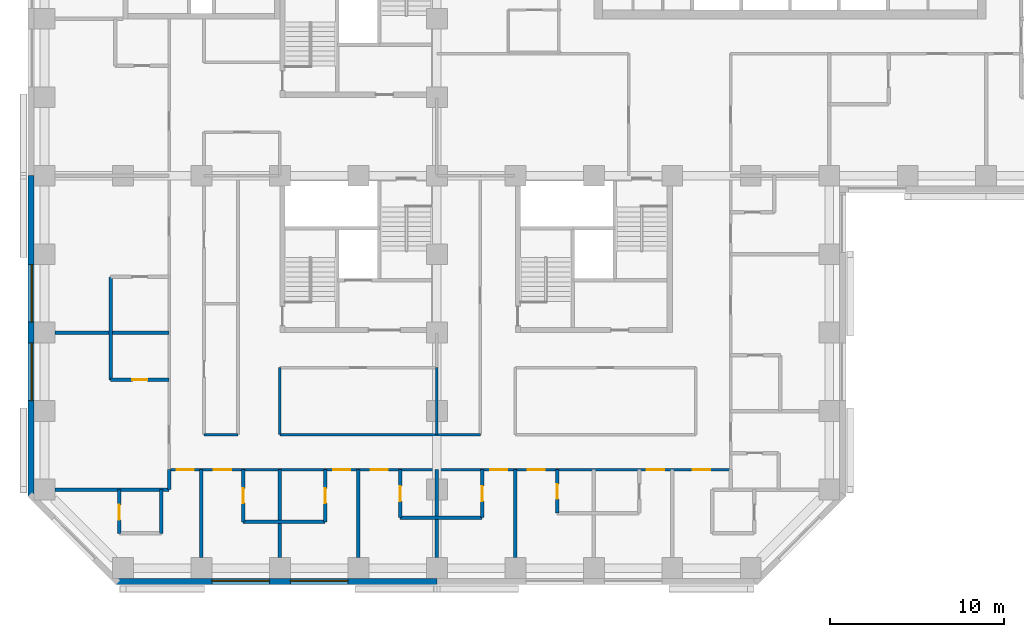
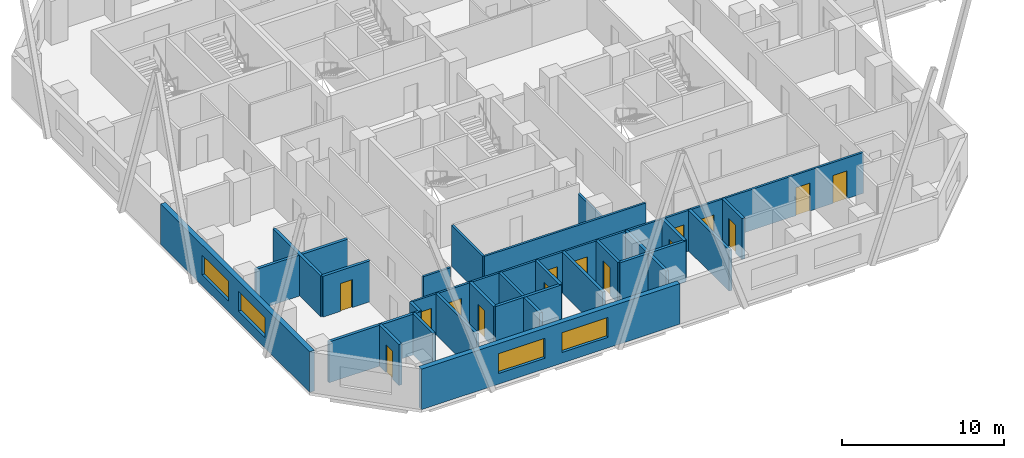
# One storey, part 3 of 13: 26 walls, 15 doors, 4 windows, 19 openings.
"""IFC4 building model written with IfcOpenShell, lengths in metres."""

from ifc_helpers import new_model, si_unit, direction, frame, frame_2d, origin, place, context, subcontext, project, spatial, rectangle, extrude, material, layer, layer_set, constituent, constituent_set, type_object, element, fill, save


model = new_model("IFC4")

# Units and contexts
model_context = context("Model", 3, precision=1e-05, world=origin(), true_north=direction((0.0, 1.0)))
body_context = subcontext(model_context, "Body", "Model", "MODEL_VIEW")
ifc_project = project(units=[si_unit("LENGTHUNIT", "METRE"), si_unit("AREAUNIT", "SQUARE_METRE"), si_unit("VOLUMEUNIT", "CUBIC_METRE"), si_unit("PLANEANGLEUNIT", "RADIAN"), si_unit("MASSUNIT", "GRAM", prefix="KILO")], contexts=[model_context])

# Site, building, storey
site_placement = place(None, origin())
site = spatial("IfcSite", under=ifc_project, at=site_placement, CompositionType="ELEMENT")
building_placement = place(site_placement, origin())
building = spatial("IfcBuilding", under=site, at=building_placement, Name="Quoin Convention Tower", CompositionType="ELEMENT")
storey_placement = place(building_placement, frame((0.0, 0.0, 52.800048828125)))
storey = spatial("IfcBuildingStorey", under=building, at=storey_placement, Name="L13", CompositionType="ELEMENT", Elevation=52.800048828125)

# Wall, openings, windows
ifc_material_1 = material(Name="Brick masonry", Category="masonry")
ifc_layer_1 = layer(ifc_material_1, 0.35009765625)
ifc_layer_set_1 = layer_set([ifc_layer_1], Name="Brick masonry")
wall_type_1 = type_object("IfcWallType", Name="Brick facade wall", PredefinedType="STANDARD", material=ifc_layer_set_1)
wall_1_placement = place(storey_placement, frame((17.6064453125, 17.22509765625, 0.0), z_axis=(0.0, 0.0, 1.0), x_axis=(1.0, 0.0, 0.0)))
wall_1 = element("IfcWall", 1, at=wall_1_placement, inside=storey, type_object=wall_type_1, Name="fw-L13-18000_18000", PredefinedType="STANDARD", context=body_context, shape_type="SweptSolid", body=[
    extrude(rectangle(XDim=18.3935546875, YDim=0.35009765625, at=frame_2d((9.19677734375, 0.0))), origin(), (0.0, 0.0, 1.0), 3.054931640625),
])
opening_1_placement = place(wall_1_placement, frame((5.493408203125, 0.0, 0.800048828125)))
opening_1 = element("IfcOpeningElement", 2, at=opening_1_placement, cuts=wall_1, Name="Opening W-01", PredefinedType="OPENING", context=body_context, shape_type="SweptSolid", body=[
    extrude(rectangle(XDim=3.300048828125, YDim=1.5, at=frame_2d((1.64990234375, 0.75))), frame((0.0, 0.18505859375, 0.0), z_axis=(0.0, -1.0, 0.0), x_axis=(1.0, 0.0, 0.0)), (0.0, 0.0, 1.0), 0.3701171875),
])
opening_2_placement = place(wall_1_placement, frame((9.993408203125, 0.0, 0.800048828125)))
opening_2 = element("IfcOpeningElement", 3, at=opening_2_placement, cuts=wall_1, Name="Opening W-01", PredefinedType="OPENING", context=body_context, shape_type="SweptSolid", body=[
    extrude(rectangle(XDim=3.300048828125, YDim=1.5, at=frame_2d((1.64990234375, 0.75))), frame((0.0, 0.18505859375, 0.0), z_axis=(0.0, -1.0, 0.0), x_axis=(1.0, 0.0, 0.0)), (0.0, 0.0, 1.0), 0.3701171875),
])
ifc_material_2 = material(Name="Aluminium", Category="aluminium")
ifc_constituent_1 = constituent(ifc_material_2, Name="Frame")
ifc_material_3 = material(Name="Insulated glass", Category="glass")
ifc_constituent_2 = constituent(ifc_material_3, Name="Glazing")
ifc_constituent_set = constituent_set(constituents=[ifc_constituent_1, ifc_constituent_2], Name="Aluminium")
window_type = type_object("IfcWindowType", Name="Hotel strip window", PartitioningType="DOUBLE_PANEL_VERTICAL", PredefinedType="WINDOW", material=ifc_constituent_set)
window_1_placement = place(opening_1_placement, origin())
window_1 = element("IfcWindow", 4, at=window_1_placement, inside=storey, type_object=window_type, Name="win-L13-24750_17225", OverallHeight=1.5, OverallWidth=3.300048828125, PartitioningType="SINGLE_PANEL", PredefinedType="WINDOW", context=body_context, shape_type="SweptSolid", body=[
    extrude(rectangle(XDim=3.300048828125, YDim=1.5, at=frame_2d((1.64990234375, 0.75))), frame((0.0, 0.0849609375, 0.0), z_axis=(0.0, -1.0, 0.0), x_axis=(1.0, 0.0, 0.0)), (0.0, 0.0, 1.0), 0.06005859375),
])
fill(opening_1, window_1)
window_2_placement = place(opening_2_placement, origin())
window_2 = element("IfcWindow", 5, at=window_2_placement, inside=storey, type_object=window_type, Name="win-L13-29250_17225", OverallHeight=1.5, OverallWidth=3.300048828125, PartitioningType="SINGLE_PANEL", PredefinedType="WINDOW", context=body_context, shape_type="SweptSolid", body=[
    extrude(rectangle(XDim=3.300048828125, YDim=1.5, at=frame_2d((1.64990234375, 0.75))), frame((0.0, 0.0849609375, 0.0), z_axis=(0.0, -1.0, 0.0), x_axis=(1.0, 0.0, 0.0)), (0.0, 0.0, 1.0), 0.06005859375),
])
fill(opening_2, window_2)

wall_2_placement = place(storey_placement, frame((12.72509765625, 40.5, 0.0), z_axis=(0.0, 0.0, 1.0), x_axis=(0.0, -1.0, 0.0)))
wall_2 = element("IfcWall", 6, at=wall_2_placement, inside=storey, type_object=wall_type_1, Name="fw-L13-13500_40500", PredefinedType="STANDARD", context=body_context, shape_type="SweptSolid", body=[
    extrude(rectangle(XDim=18.3935546875, YDim=0.35009765625, at=frame_2d((9.19677734375, 0.0))), origin(), (0.0, 0.0, 1.0), 3.054931640625),
])
opening_3_placement = place(wall_2_placement, frame((5.10009765625, 0.0, 0.800048828125)))
opening_3 = element("IfcOpeningElement", 7, at=opening_3_placement, cuts=wall_2, Name="Opening W-01", PredefinedType="OPENING", context=body_context, shape_type="SweptSolid", body=[
    extrude(rectangle(XDim=3.300048828125, YDim=1.5, at=frame_2d((1.64990234375, 0.75))), frame((0.0, 0.18505859375, 0.0), z_axis=(0.0, -1.0, 0.0), x_axis=(1.0, 0.0, 0.0)), (0.0, 0.0, 1.0), 0.3701171875),
])
opening_4_placement = place(wall_2_placement, frame((9.60009765625, 0.0, 0.800048828125)))
opening_4 = element("IfcOpeningElement", 8, at=opening_4_placement, cuts=wall_2, Name="Opening W-01", PredefinedType="OPENING", context=body_context, shape_type="SweptSolid", body=[
    extrude(rectangle(XDim=3.300048828125, YDim=1.5, at=frame_2d((1.64990234375, 0.75))), frame((0.0, 0.18505859375, 0.0), z_axis=(0.0, -1.0, 0.0), x_axis=(1.0, 0.0, 0.0)), (0.0, 0.0, 1.0), 0.3701171875),
])
window_3_placement = place(opening_3_placement, origin())
window_3 = element("IfcWindow", 9, at=window_3_placement, inside=storey, type_object=window_type, Name="win-L13-12725_33750", OverallHeight=1.5, OverallWidth=3.300048828125, PartitioningType="SINGLE_PANEL", PredefinedType="WINDOW", context=body_context, shape_type="SweptSolid", body=[
    extrude(rectangle(XDim=3.300048828125, YDim=1.5, at=frame_2d((1.64990234375, 0.75))), frame((0.0, 0.0849609375, 0.0), z_axis=(0.0, -1.0, 0.0), x_axis=(1.0, 0.0, 0.0)), (0.0, 0.0, 1.0), 0.06005859375),
])
fill(opening_3, window_3)
window_4_placement = place(opening_4_placement, origin())
window_4 = element("IfcWindow", 10, at=window_4_placement, inside=storey, type_object=window_type, Name="win-L13-12725_29250", OverallHeight=1.5, OverallWidth=3.300048828125, PartitioningType="SINGLE_PANEL", PredefinedType="WINDOW", context=body_context, shape_type="SweptSolid", body=[
    extrude(rectangle(XDim=3.300048828125, YDim=1.5, at=frame_2d((1.64990234375, 0.75))), frame((0.0, 0.0849609375, 0.0), z_axis=(0.0, -1.0, 0.0), x_axis=(1.0, 0.0, 0.0)), (0.0, 0.0, 1.0), 0.06005859375),
])
fill(opening_4, window_4)

# Walls
ifc_material_4 = material(Name="Concrete C50", Category="concrete")
ifc_layer_2 = layer(ifc_material_4, 0.199951171875)
ifc_layer_set_2 = layer_set([ifc_layer_2], Name="Concrete C50")
wall_type_2 = type_object("IfcWallType", Name="RC party wall", PredefinedType="SOLIDWALL", material=ifc_layer_set_2)
for number, where, z_axis, x_axis, name in (
    (11, (22.5, 18.60009765625, 0.0), (0.0, 0.0, 1.0), (0.0, 1.0, 0.0), "pw-L13-037"),
    (12, (27.0, 18.60009765625, 0.0), (0.0, 0.0, 1.0), (0.0, 1.0, 0.0), "pw-L13-038"),
    (13, (31.5, 18.60009765625, 0.0), (0.0, 0.0, 1.0), (0.0, 1.0, 0.0), "pw-L13-039"),
    (14, (36.0, 18.60009765625, 0.0), (0.0, 0.0, 1.0), (0.0, 1.0, 0.0), "pw-L13-040"),
    (15, (40.5, 18.60009765625, 0.0), (0.0, 0.0, 1.0), (0.0, 1.0, 0.0), "pw-L13-041"),
):
    element("IfcWall", number, at=place(storey_placement, frame(where, z_axis=z_axis, x_axis=x_axis)), inside=storey, type_object=wall_type_2, Name=name, PredefinedType="SOLIDWALL", context=body_context, shape_type="SweptSolid", body=[
        extrude(rectangle(XDim=5.0498046875, YDim=0.199951171875, at=frame_2d((2.52490234375, 0.0))), origin(), (0.0, 0.0, 1.0), 3.079833984375),
    ])

# Wall, opening, door
wall_3_placement = place(storey_placement, frame((17.800048828125, 20.0, 0.0), z_axis=(0.0, 0.0, 1.0), x_axis=(0.0, 1.0, 0.0)))
wall_3 = element("IfcWall", 16, at=wall_3_placement, inside=storey, type_object=wall_type_2, Name="pw-L13-045", PredefinedType="SOLIDWALL", context=body_context, shape_type="SweptSolid", body=[
    extrude(rectangle(XDim=2.5, YDim=0.199951171875, at=frame_2d((1.25, 0.0))), origin(), (0.0, 0.0, 1.0), 3.079833984375),
])
opening_5_placement = place(wall_3_placement, frame((0.77490234375, 0.0, 0.0)))
opening_5 = element("IfcOpeningElement", 17, at=opening_5_placement, cuts=wall_3, Name="Opening DHOTEL-B-42", PredefinedType="OPENING", context=body_context, shape_type="SweptSolid", body=[
    extrude(rectangle(XDim=0.85009765625, YDim=2.10009765625, at=frame_2d((0.425048828125, 1.050048828125))), frame((0.0, 0.10986328125, 0.0), z_axis=(0.0, -1.0, 0.0), x_axis=(1.0, 0.0, 0.0)), (0.0, 0.0, 1.0), 0.219970703125),
])
ifc_material_5 = material(Name="Steel door leaf", Category="steel")
door_type_1 = type_object("IfcDoorType", Name="Bathroom door", OperationType="SINGLE_SWING_LEFT", PredefinedType="DOOR", material=ifc_material_5)
door_1_placement = place(opening_5_placement, origin())
door_1 = element("IfcDoor", 18, at=door_1_placement, inside=storey, type_object=door_type_1, Name="dr-L13-058", OperationType="SINGLE_SWING_RIGHT", OverallHeight=2.10009765625, OverallWidth=0.85009765625, PredefinedType="DOOR", context=body_context, shape_type="SweptSolid", body=[
    extrude(rectangle(XDim=0.85009765625, YDim=2.10009765625, at=frame_2d((0.425048828125, 1.050048828125))), frame((0.0, 0.02490234375, 0.0), z_axis=(0.0, -1.0, 0.0), x_axis=(1.0, 0.0, 0.0)), (0.0, 0.0, 1.0), 0.050048828125),
])
fill(opening_5, door_1)

# Walls
wall_4_placement = place(storey_placement, frame((20.199951171875, 20.0, 0.0), z_axis=(0.0, 0.0, 1.0), x_axis=(0.0, 1.0, 0.0)))
element("IfcWall", 19, at=wall_4_placement, inside=storey, type_object=wall_type_2, Name="pw-L13-046", PredefinedType="SOLIDWALL", context=body_context, shape_type="SweptSolid", body=[
    extrude(rectangle(XDim=2.5, YDim=0.199951171875, at=frame_2d((1.25, 0.0))), origin(), (0.0, 0.0, 1.0), 3.079833984375),
])
wall_5_placement = place(storey_placement, frame((24.89990234375, 20.64990234375, 0.0), z_axis=(0.0, 0.0, 1.0), x_axis=(1.0, 0.0, 0.0)))
element("IfcWall", 20, at=wall_5_placement, inside=storey, type_object=wall_type_2, Name="pw-L13-050", PredefinedType="SOLIDWALL", context=body_context, shape_type="SweptSolid", body=[
    extrude(rectangle(XDim=4.7001953125, YDim=0.199951171875, at=frame_2d((2.35009765625, 0.0))), origin(), (0.0, 0.0, 1.0), 3.079833984375),
])

# Wall, opening, door
wall_6_placement = place(storey_placement, frame((24.89990234375, 20.64990234375, 0.0), z_axis=(0.0, 0.0, 1.0), x_axis=(0.0, 1.0, 0.0)))
wall_6 = element("IfcWall", 21, at=wall_6_placement, inside=storey, type_object=wall_type_2, Name="pw-L13-051", PredefinedType="SOLIDWALL", context=body_context, shape_type="SweptSolid", body=[
    extrude(rectangle(XDim=3.0, YDim=0.199951171875, at=frame_2d((1.5, 0.0))), origin(), (0.0, 0.0, 1.0), 3.079833984375),
])
opening_6_placement = place(wall_6_placement, frame((1.074951171875, 0.0, 0.0)))
opening_6 = element("IfcOpeningElement", 22, at=opening_6_placement, cuts=wall_6, Name="Opening DHOTEL-B-44", PredefinedType="OPENING", context=body_context, shape_type="SweptSolid", body=[
    extrude(rectangle(XDim=0.85009765625, YDim=2.10009765625, at=frame_2d((0.425048828125, 1.050048828125))), frame((0.0, 0.10986328125, 0.0), z_axis=(0.0, -1.0, 0.0), x_axis=(1.0, 0.0, 0.0)), (0.0, 0.0, 1.0), 0.219970703125),
])
door_2_placement = place(opening_6_placement, origin())
door_2 = element("IfcDoor", 23, at=door_2_placement, inside=storey, type_object=door_type_1, Name="dr-L13-002", OperationType="SINGLE_SWING_RIGHT", OverallHeight=2.10009765625, OverallWidth=0.85009765625, PredefinedType="DOOR", context=body_context, shape_type="SweptSolid", body=[
    extrude(rectangle(XDim=0.85009765625, YDim=2.10009765625, at=frame_2d((0.425048828125, 1.050048828125))), frame((0.0, 0.02490234375, 0.0), z_axis=(0.0, -1.0, 0.0), x_axis=(1.0, 0.0, 0.0)), (0.0, 0.0, 1.0), 0.050048828125),
])
fill(opening_6, door_2)

wall_7_placement = place(storey_placement, frame((29.60009765625, 20.64990234375, 0.0), z_axis=(0.0, 0.0, 1.0), x_axis=(0.0, 1.0, 0.0)))
wall_7 = element("IfcWall", 24, at=wall_7_placement, inside=storey, type_object=wall_type_2, Name="pw-L13-052", PredefinedType="SOLIDWALL", context=body_context, shape_type="SweptSolid", body=[
    extrude(rectangle(XDim=3.0, YDim=0.199951171875, at=frame_2d((1.5, 0.0))), origin(), (0.0, 0.0, 1.0), 3.079833984375),
])
opening_7_placement = place(wall_7_placement, frame((1.074951171875, 0.0, 0.0)))
opening_7 = element("IfcOpeningElement", 25, at=opening_7_placement, cuts=wall_7, Name="Opening DHOTEL-B-45", PredefinedType="OPENING", context=body_context, shape_type="SweptSolid", body=[
    extrude(rectangle(XDim=0.85009765625, YDim=2.10009765625, at=frame_2d((0.425048828125, 1.050048828125))), frame((0.0, 0.10986328125, 0.0), z_axis=(0.0, -1.0, 0.0), x_axis=(1.0, 0.0, 0.0)), (0.0, 0.0, 1.0), 0.219970703125),
])
door_3_placement = place(opening_7_placement, frame((0.85009765625, 0.0, 0.0), z_axis=(0.0, 0.0, 1.0), x_axis=(-1.0, 0.0, 0.0)))
door_3 = element("IfcDoor", 26, at=door_3_placement, inside=storey, type_object=door_type_1, Name="dr-L13-004", OperationType="SINGLE_SWING_LEFT", OverallHeight=2.10009765625, OverallWidth=0.85009765625, PredefinedType="DOOR", context=body_context, shape_type="SweptSolid", body=[
    extrude(rectangle(XDim=0.85009765625, YDim=2.10009765625, at=frame_2d((0.425048828125, 1.050048828125))), frame((0.0, 0.02490234375, 0.0), z_axis=(0.0, -1.0, 0.0), x_axis=(1.0, 0.0, 0.0)), (0.0, 0.0, 1.0), 0.050048828125),
])
fill(opening_7, door_3)

# Wall
wall_8_placement = place(storey_placement, frame((33.89990234375, 20.89990234375, 0.0), z_axis=(0.0, 0.0, 1.0), x_axis=(1.0, 0.0, 0.0)))
element("IfcWall", 27, at=wall_8_placement, inside=storey, type_object=wall_type_2, Name="pw-L13-053", PredefinedType="SOLIDWALL", context=body_context, shape_type="SweptSolid", body=[
    extrude(rectangle(XDim=4.7001953125, YDim=0.199951171875, at=frame_2d((2.35009765625, 0.0))), origin(), (0.0, 0.0, 1.0), 3.079833984375),
])

# Wall, opening, door
wall_9_placement = place(storey_placement, frame((33.89990234375, 20.89990234375, 0.0), z_axis=(0.0, 0.0, 1.0), x_axis=(0.0, 1.0, 0.0)))
wall_9 = element("IfcWall", 28, at=wall_9_placement, inside=storey, type_object=wall_type_2, Name="pw-L13-054", PredefinedType="SOLIDWALL", context=body_context, shape_type="SweptSolid", body=[
    extrude(rectangle(XDim=2.75, YDim=0.199951171875, at=frame_2d((1.375, 0.0))), origin(), (0.0, 0.0, 1.0), 3.079833984375),
])
opening_8_placement = place(wall_9_placement, frame((0.949951171875, 0.0, 0.0)))
opening_8 = element("IfcOpeningElement", 29, at=opening_8_placement, cuts=wall_9, Name="Opening DHOTEL-B-46", PredefinedType="OPENING", context=body_context, shape_type="SweptSolid", body=[
    extrude(rectangle(XDim=0.85009765625, YDim=2.10009765625, at=frame_2d((0.425048828125, 1.050048828125))), frame((0.0, 0.10986328125, 0.0), z_axis=(0.0, -1.0, 0.0), x_axis=(1.0, 0.0, 0.0)), (0.0, 0.0, 1.0), 0.219970703125),
])
door_4_placement = place(opening_8_placement, origin())
door_4 = element("IfcDoor", 30, at=door_4_placement, inside=storey, type_object=door_type_1, Name="dr-L13-006", OperationType="SINGLE_SWING_RIGHT", OverallHeight=2.10009765625, OverallWidth=0.85009765625, PredefinedType="DOOR", context=body_context, shape_type="SweptSolid", body=[
    extrude(rectangle(XDim=0.85009765625, YDim=2.10009765625, at=frame_2d((0.425048828125, 1.050048828125))), frame((0.0, 0.02490234375, 0.0), z_axis=(0.0, -1.0, 0.0), x_axis=(1.0, 0.0, 0.0)), (0.0, 0.0, 1.0), 0.050048828125),
])
fill(opening_8, door_4)

wall_10_placement = place(storey_placement, frame((38.60009765625, 20.89990234375, 0.0), z_axis=(0.0, 0.0, 1.0), x_axis=(0.0, 1.0, 0.0)))
wall_10 = element("IfcWall", 31, at=wall_10_placement, inside=storey, type_object=wall_type_2, Name="pw-L13-055", PredefinedType="SOLIDWALL", context=body_context, shape_type="SweptSolid", body=[
    extrude(rectangle(XDim=2.75, YDim=0.199951171875, at=frame_2d((1.375, 0.0))), origin(), (0.0, 0.0, 1.0), 3.079833984375),
])
opening_9_placement = place(wall_10_placement, frame((0.949951171875, 0.0, 0.0)))
opening_9 = element("IfcOpeningElement", 32, at=opening_9_placement, cuts=wall_10, Name="Opening DHOTEL-B-47", PredefinedType="OPENING", context=body_context, shape_type="SweptSolid", body=[
    extrude(rectangle(XDim=0.85009765625, YDim=2.10009765625, at=frame_2d((0.425048828125, 1.050048828125))), frame((0.0, 0.10986328125, 0.0), z_axis=(0.0, -1.0, 0.0), x_axis=(1.0, 0.0, 0.0)), (0.0, 0.0, 1.0), 0.219970703125),
])
door_5_placement = place(opening_9_placement, frame((0.85009765625, 0.0, 0.0), z_axis=(0.0, 0.0, 1.0), x_axis=(-1.0, 0.0, 0.0)))
door_5 = element("IfcDoor", 33, at=door_5_placement, inside=storey, type_object=door_type_1, Name="dr-L13-008", OperationType="SINGLE_SWING_LEFT", OverallHeight=2.10009765625, OverallWidth=0.85009765625, PredefinedType="DOOR", context=body_context, shape_type="SweptSolid", body=[
    extrude(rectangle(XDim=0.85009765625, YDim=2.10009765625, at=frame_2d((0.425048828125, 1.050048828125))), frame((0.0, 0.02490234375, 0.0), z_axis=(0.0, -1.0, 0.0), x_axis=(1.0, 0.0, 0.0)), (0.0, 0.0, 1.0), 0.050048828125),
])
fill(opening_9, door_5)

wall_11_placement = place(storey_placement, frame((42.89990234375, 21.14990234375, 0.0), z_axis=(0.0, 0.0, 1.0), x_axis=(0.0, 1.0, 0.0)))
wall_11 = element("IfcWall", 34, at=wall_11_placement, inside=storey, type_object=wall_type_2, Name="pw-L13-057", PredefinedType="SOLIDWALL", context=body_context, shape_type="SweptSolid", body=[
    extrude(rectangle(XDim=2.5, YDim=0.199951171875, at=frame_2d((1.25, 0.0))), origin(), (0.0, 0.0, 1.0), 3.079833984375),
])
opening_10_placement = place(wall_11_placement, frame((0.824951171875, 0.0, 0.0)))
opening_10 = element("IfcOpeningElement", 35, at=opening_10_placement, cuts=wall_11, Name="Opening DHOTEL-B-48", PredefinedType="OPENING", context=body_context, shape_type="SweptSolid", body=[
    extrude(rectangle(XDim=0.85009765625, YDim=2.10009765625, at=frame_2d((0.425048828125, 1.050048828125))), frame((0.0, 0.10986328125, 0.0), z_axis=(0.0, -1.0, 0.0), x_axis=(1.0, 0.0, 0.0)), (0.0, 0.0, 1.0), 0.219970703125),
])
door_6_placement = place(opening_10_placement, frame((0.85009765625, 0.0, 0.0), z_axis=(0.0, 0.0, 1.0), x_axis=(-1.0, 0.0, 0.0)))
door_6 = element("IfcDoor", 36, at=door_6_placement, inside=storey, type_object=door_type_1, Name="dr-L13-010", OperationType="SINGLE_SWING_LEFT", OverallHeight=2.10009765625, OverallWidth=0.85009765625, PredefinedType="DOOR", context=body_context, shape_type="SweptSolid", body=[
    extrude(rectangle(XDim=0.85009765625, YDim=2.10009765625, at=frame_2d((0.425048828125, 1.050048828125))), frame((0.0, 0.02490234375, 0.0), z_axis=(0.0, -1.0, 0.0), x_axis=(1.0, 0.0, 0.0)), (0.0, 0.0, 1.0), 0.050048828125),
])
fill(opening_10, door_6)

# Walls
wall_12_placement = place(storey_placement, frame((14.10009765625, 22.5, 0.0), z_axis=(0.0, 0.0, 1.0), x_axis=(1.0, 0.0, 0.0)))
element("IfcWall", 37, at=wall_12_placement, inside=storey, type_object=wall_type_2, Name="pw-L13-059", PredefinedType="SOLIDWALL", context=body_context, shape_type="SweptSolid", body=[
    extrude(rectangle(XDim=6.5498046875, YDim=0.199951171875, at=frame_2d((3.27490234375, 0.0))), origin(), (0.0, 0.0, 1.0), 3.079833984375),
])
wall_13_placement = place(storey_placement, frame((20.64990234375, 22.5, 0.0), z_axis=(0.0, 0.0, 1.0), x_axis=(0.0, 1.0, 0.0)))
element("IfcWall", 38, at=wall_13_placement, inside=storey, type_object=wall_type_2, Name="pw-L13-060", PredefinedType="SOLIDWALL", context=body_context, shape_type="SweptSolid", body=[
    extrude(rectangle(XDim=1.14990234375, YDim=0.199951171875, at=frame_2d((0.574951171875, 0.0))), origin(), (0.0, 0.0, 1.0), 3.079833984375),
])

# Wall, opening, door
wall_14_placement = place(storey_placement, frame((17.300048828125, 28.800048828125, 0.0), z_axis=(0.0, 0.0, 1.0), x_axis=(1.0, 0.0, 0.0)))
wall_14 = element("IfcWall", 39, at=wall_14_placement, inside=storey, type_object=wall_type_2, Name="pw-L13-067", PredefinedType="SOLIDWALL", context=body_context, shape_type="SweptSolid", body=[
    extrude(rectangle(XDim=3.349853515625, YDim=0.199951171875, at=frame_2d((1.6748046875, 0.0))), origin(), (0.0, 0.0, 1.0), 3.079833984375),
])
opening_11_placement = place(wall_14_placement, frame((1.25, 0.0, 0.0)))
opening_11 = element("IfcOpeningElement", 40, at=opening_11_placement, cuts=wall_14, Name="Opening DHOTEL-B-51", PredefinedType="OPENING", context=body_context, shape_type="SweptSolid", body=[
    extrude(rectangle(XDim=0.85009765625, YDim=2.10009765625, at=frame_2d((0.425048828125, 1.050048828125))), frame((0.0, 0.10986328125, 0.0), z_axis=(0.0, -1.0, 0.0), x_axis=(1.0, 0.0, 0.0)), (0.0, 0.0, 1.0), 0.219970703125),
])
door_7_placement = place(opening_11_placement, frame((0.85009765625, 0.0, 0.0), z_axis=(0.0, 0.0, 1.0), x_axis=(-1.0, 0.0, 0.0)))
door_7 = element("IfcDoor", 41, at=door_7_placement, inside=storey, type_object=door_type_1, Name="dr-L13-014", OperationType="SINGLE_SWING_LEFT", OverallHeight=2.10009765625, OverallWidth=0.85009765625, PredefinedType="DOOR", context=body_context, shape_type="SweptSolid", body=[
    extrude(rectangle(XDim=0.85009765625, YDim=2.10009765625, at=frame_2d((0.425048828125, 1.050048828125))), frame((0.0, 0.02490234375, 0.0), z_axis=(0.0, -1.0, 0.0), x_axis=(1.0, 0.0, 0.0)), (0.0, 0.0, 1.0), 0.050048828125),
])
fill(opening_11, door_7)

# Walls
wall_15_placement = place(storey_placement, frame((17.300048828125, 28.800048828125, 0.0), z_axis=(0.0, 0.0, 1.0), x_axis=(0.0, 1.0, 0.0)))
element("IfcWall", 42, at=wall_15_placement, inside=storey, type_object=wall_type_2, Name="pw-L13-068", PredefinedType="SOLIDWALL", context=body_context, shape_type="SweptSolid", body=[
    extrude(rectangle(XDim=5.89990234375, YDim=0.199951171875, at=frame_2d((2.949951171875, 0.0))), origin(), (0.0, 0.0, 1.0), 3.079833984375),
])
wall_16_placement = place(storey_placement, frame((14.10009765625, 31.5, 0.0), z_axis=(0.0, 0.0, 1.0), x_axis=(1.0, 0.0, 0.0)))
element("IfcWall", 43, at=wall_16_placement, inside=storey, type_object=wall_type_2, Name="pw-L13-070", PredefinedType="SOLIDWALL", context=body_context, shape_type="SweptSolid", body=[
    extrude(rectangle(XDim=6.5498046875, YDim=0.199951171875, at=frame_2d((3.27490234375, 0.0))), origin(), (0.0, 0.0, 1.0), 3.079833984375),
])

# Wall, openings, doors
ifc_material_6 = material(Name="Plasterboard")
ifc_layer_3 = layer(ifc_material_6, 0.012451171875, Name="Finish")
ifc_material_7 = material(Name="Steel stud framing", Category="steel")
ifc_layer_4 = layer(ifc_material_7, 0.125, Name="Structure")
ifc_layer_5 = layer(ifc_material_6, 0.012451171875, Name="Finish")
ifc_layer_set_3 = layer_set([ifc_layer_3, ifc_layer_4, ifc_layer_5], Name="Steel stud framing")
wall_type_3 = type_object("IfcWallType", Name="corridor partition", PredefinedType="PARTITIONING", material=ifc_layer_set_3)
wall_17_placement = place(storey_placement, frame((20.64990234375, 23.64990234375, 0.0), z_axis=(0.0, 0.0, 1.0), x_axis=(1.0, 0.0, 0.0)))
wall_17 = element("IfcWall", 44, at=wall_17_placement, inside=storey, type_object=wall_type_3, Name="pw-L13-005", PredefinedType="PARTITIONING", context=body_context, shape_type="SweptSolid", body=[
    extrude(rectangle(XDim=32.2001953125, YDim=0.14990234375, at=frame_2d((16.10009765625, 0.0))), origin(), (0.0, 0.0, 1.0), 3.079833984375),
])
opening_12_placement = place(wall_17_placement, frame((2.550048828125, 0.0, 0.0)))
opening_12 = element("IfcOpeningElement", 45, at=opening_12_placement, cuts=wall_17, Name="Opening DHOTEL-B-02", PredefinedType="OPENING", context=body_context, shape_type="SweptSolid", body=[
    extrude(rectangle(XDim=1.0, YDim=2.10009765625, at=frame_2d((0.5, 1.050048828125))), frame((0.0, 0.0849609375, 0.0), z_axis=(0.0, -1.0, 0.0), x_axis=(1.0, 0.0, 0.0)), (0.0, 0.0, 1.0), 0.169921875),
])
opening_13_placement = place(wall_17_placement, frame((9.39990234375, 0.0, 0.0)))
opening_13 = element("IfcOpeningElement", 46, at=opening_13_placement, cuts=wall_17, Name="Opening DHOTEL-B-03", PredefinedType="OPENING", context=body_context, shape_type="SweptSolid", body=[
    extrude(rectangle(XDim=1.0, YDim=2.10009765625, at=frame_2d((0.5, 1.050048828125))), frame((0.0, 0.0849609375, 0.0), z_axis=(0.0, -1.0, 0.0), x_axis=(1.0, 0.0, 0.0)), (0.0, 0.0, 1.0), 0.169921875),
])
opening_14_placement = place(wall_17_placement, frame((11.550048828125, 0.0, 0.0)))
opening_14 = element("IfcOpeningElement", 47, at=opening_14_placement, cuts=wall_17, Name="Opening DHOTEL-B-04", PredefinedType="OPENING", context=body_context, shape_type="SweptSolid", body=[
    extrude(rectangle(XDim=1.0, YDim=2.10009765625, at=frame_2d((0.5, 1.050048828125))), frame((0.0, 0.0849609375, 0.0), z_axis=(0.0, -1.0, 0.0), x_axis=(1.0, 0.0, 0.0)), (0.0, 0.0, 1.0), 0.169921875),
])
opening_15_placement = place(wall_17_placement, frame((18.39990234375, 0.0, 0.0)))
opening_15 = element("IfcOpeningElement", 48, at=opening_15_placement, cuts=wall_17, Name="Opening DHOTEL-B-05", PredefinedType="OPENING", context=body_context, shape_type="SweptSolid", body=[
    extrude(rectangle(XDim=1.0, YDim=2.10009765625, at=frame_2d((0.5, 1.050048828125))), frame((0.0, 0.0849609375, 0.0), z_axis=(0.0, -1.0, 0.0), x_axis=(1.0, 0.0, 0.0)), (0.0, 0.0, 1.0), 0.169921875),
])
opening_16_placement = place(wall_17_placement, frame((20.550048828125, 0.0, 0.0)))
opening_16 = element("IfcOpeningElement", 49, at=opening_16_placement, cuts=wall_17, Name="Opening DHOTEL-B-06", PredefinedType="OPENING", context=body_context, shape_type="SweptSolid", body=[
    extrude(rectangle(XDim=1.0, YDim=2.10009765625, at=frame_2d((0.5, 1.050048828125))), frame((0.0, 0.0849609375, 0.0), z_axis=(0.0, -1.0, 0.0), x_axis=(1.0, 0.0, 0.0)), (0.0, 0.0, 1.0), 0.169921875),
])
opening_17_placement = place(wall_17_placement, frame((27.39990234375, 0.0, 0.0)))
opening_17 = element("IfcOpeningElement", 50, at=opening_17_placement, cuts=wall_17, Name="Opening DHOTEL-B-07", PredefinedType="OPENING", context=body_context, shape_type="SweptSolid", body=[
    extrude(rectangle(XDim=1.0, YDim=2.10009765625, at=frame_2d((0.5, 1.050048828125))), frame((0.0, 0.0849609375, 0.0), z_axis=(0.0, -1.0, 0.0), x_axis=(1.0, 0.0, 0.0)), (0.0, 0.0, 1.0), 0.169921875),
])
opening_18_placement = place(wall_17_placement, frame((0.425048828125, 0.0, 0.0)))
opening_18 = element("IfcOpeningElement", 51, at=opening_18_placement, cuts=wall_17, Name="Opening DHOTEL-B-01", PredefinedType="OPENING", context=body_context, shape_type="SweptSolid", body=[
    extrude(rectangle(XDim=1.0, YDim=2.10009765625, at=frame_2d((0.5, 1.050048828125))), frame((0.0, 0.0849609375, 0.0), z_axis=(0.0, -1.0, 0.0), x_axis=(1.0, 0.0, 0.0)), (0.0, 0.0, 1.0), 0.169921875),
])
opening_19_placement = place(wall_17_placement, frame((30.02490234375, 0.0, 0.0)))
opening_19 = element("IfcOpeningElement", 52, at=opening_19_placement, cuts=wall_17, Name="Opening DHOTEL-B-08", PredefinedType="OPENING", context=body_context, shape_type="SweptSolid", body=[
    extrude(rectangle(XDim=1.0, YDim=2.10009765625, at=frame_2d((0.5, 1.050048828125))), frame((0.0, 0.0849609375, 0.0), z_axis=(0.0, -1.0, 0.0), x_axis=(1.0, 0.0, 0.0)), (0.0, 0.0, 1.0), 0.169921875),
])
door_type_2 = type_object("IfcDoorType", Name="Hotel room door", OperationType="SINGLE_SWING_LEFT", PredefinedType="DOOR", material=ifc_material_5)
door_8_placement = place(opening_12_placement, frame((1.0, 0.0, 0.0), z_axis=(0.0, 0.0, 1.0), x_axis=(-1.0, 0.0, 0.0)))
door_8 = element("IfcDoor", 53, at=door_8_placement, inside=storey, type_object=door_type_2, Name="dr-L13-001", OperationType="SINGLE_SWING_LEFT", OverallHeight=2.10009765625, OverallWidth=1.0, PredefinedType="DOOR", context=body_context, shape_type="SweptSolid", body=[
    extrude(rectangle(XDim=1.0, YDim=2.10009765625, at=frame_2d((0.5, 1.050048828125))), frame((0.0, 0.02490234375, 0.0), z_axis=(0.0, -1.0, 0.0), x_axis=(1.0, 0.0, 0.0)), (0.0, 0.0, 1.0), 0.050048828125),
])
fill(opening_12, door_8)
door_9_placement = place(opening_13_placement, frame((1.0, 0.0, 0.0), z_axis=(0.0, 0.0, 1.0), x_axis=(-1.0, 0.0, 0.0)))
door_9 = element("IfcDoor", 54, at=door_9_placement, inside=storey, type_object=door_type_2, Name="dr-L13-003", OperationType="SINGLE_SWING_LEFT", OverallHeight=2.10009765625, OverallWidth=1.0, PredefinedType="DOOR", context=body_context, shape_type="SweptSolid", body=[
    extrude(rectangle(XDim=1.0, YDim=2.10009765625, at=frame_2d((0.5, 1.050048828125))), frame((0.0, 0.02490234375, 0.0), z_axis=(0.0, -1.0, 0.0), x_axis=(1.0, 0.0, 0.0)), (0.0, 0.0, 1.0), 0.050048828125),
])
fill(opening_13, door_9)
door_10_placement = place(opening_14_placement, frame((1.0, 0.0, 0.0), z_axis=(0.0, 0.0, 1.0), x_axis=(-1.0, 0.0, 0.0)))
door_10 = element("IfcDoor", 55, at=door_10_placement, inside=storey, type_object=door_type_2, Name="dr-L13-005", OperationType="SINGLE_SWING_LEFT", OverallHeight=2.10009765625, OverallWidth=1.0, PredefinedType="DOOR", context=body_context, shape_type="SweptSolid", body=[
    extrude(rectangle(XDim=1.0, YDim=2.10009765625, at=frame_2d((0.5, 1.050048828125))), frame((0.0, 0.02490234375, 0.0), z_axis=(0.0, -1.0, 0.0), x_axis=(1.0, 0.0, 0.0)), (0.0, 0.0, 1.0), 0.050048828125),
])
fill(opening_14, door_10)
door_11_placement = place(opening_15_placement, frame((1.0, 0.0, 0.0), z_axis=(0.0, 0.0, 1.0), x_axis=(-1.0, 0.0, 0.0)))
door_11 = element("IfcDoor", 56, at=door_11_placement, inside=storey, type_object=door_type_2, Name="dr-L13-007", OperationType="SINGLE_SWING_LEFT", OverallHeight=2.10009765625, OverallWidth=1.0, PredefinedType="DOOR", context=body_context, shape_type="SweptSolid", body=[
    extrude(rectangle(XDim=1.0, YDim=2.10009765625, at=frame_2d((0.5, 1.050048828125))), frame((0.0, 0.02490234375, 0.0), z_axis=(0.0, -1.0, 0.0), x_axis=(1.0, 0.0, 0.0)), (0.0, 0.0, 1.0), 0.050048828125),
])
fill(opening_15, door_11)
door_12_placement = place(opening_16_placement, frame((1.0, 0.0, 0.0), z_axis=(0.0, 0.0, 1.0), x_axis=(-1.0, 0.0, 0.0)))
door_12 = element("IfcDoor", 57, at=door_12_placement, inside=storey, type_object=door_type_2, Name="dr-L13-009", OperationType="SINGLE_SWING_LEFT", OverallHeight=2.10009765625, OverallWidth=1.0, PredefinedType="DOOR", context=body_context, shape_type="SweptSolid", body=[
    extrude(rectangle(XDim=1.0, YDim=2.10009765625, at=frame_2d((0.5, 1.050048828125))), frame((0.0, 0.02490234375, 0.0), z_axis=(0.0, -1.0, 0.0), x_axis=(1.0, 0.0, 0.0)), (0.0, 0.0, 1.0), 0.050048828125),
])
fill(opening_16, door_12)
door_13_placement = place(opening_17_placement, frame((1.0, 0.0, 0.0), z_axis=(0.0, 0.0, 1.0), x_axis=(-1.0, 0.0, 0.0)))
door_13 = element("IfcDoor", 58, at=door_13_placement, inside=storey, type_object=door_type_2, Name="dr-L13-011", OperationType="SINGLE_SWING_LEFT", OverallHeight=2.10009765625, OverallWidth=1.0, PredefinedType="DOOR", context=body_context, shape_type="SweptSolid", body=[
    extrude(rectangle(XDim=1.0, YDim=2.10009765625, at=frame_2d((0.5, 1.050048828125))), frame((0.0, 0.02490234375, 0.0), z_axis=(0.0, -1.0, 0.0), x_axis=(1.0, 0.0, 0.0)), (0.0, 0.0, 1.0), 0.050048828125),
])
fill(opening_17, door_13)
door_14_placement = place(opening_18_placement, frame((1.0, 0.0, 0.0), z_axis=(0.0, 0.0, 1.0), x_axis=(-1.0, 0.0, 0.0)))
door_14 = element("IfcDoor", 59, at=door_14_placement, inside=storey, type_object=door_type_2, Name="dr-L13-057", OperationType="SINGLE_SWING_LEFT", OverallHeight=2.10009765625, OverallWidth=1.0, PredefinedType="DOOR", context=body_context, shape_type="SweptSolid", body=[
    extrude(rectangle(XDim=1.0, YDim=2.10009765625, at=frame_2d((0.5, 1.050048828125))), frame((0.0, 0.02490234375, 0.0), z_axis=(0.0, -1.0, 0.0), x_axis=(1.0, 0.0, 0.0)), (0.0, 0.0, 1.0), 0.050048828125),
])
fill(opening_18, door_14)
door_15_placement = place(opening_19_placement, frame((1.0, 0.0, 0.0), z_axis=(0.0, 0.0, 1.0), x_axis=(-1.0, 0.0, 0.0)))
door_15 = element("IfcDoor", 60, at=door_15_placement, inside=storey, type_object=door_type_2, Name="dr-L13-059", OperationType="SINGLE_SWING_LEFT", OverallHeight=2.10009765625, OverallWidth=1.0, PredefinedType="DOOR", context=body_context, shape_type="SweptSolid", body=[
    extrude(rectangle(XDim=1.0, YDim=2.10009765625, at=frame_2d((0.5, 1.050048828125))), frame((0.0, 0.02490234375, 0.0), z_axis=(0.0, -1.0, 0.0), x_axis=(1.0, 0.0, 0.0)), (0.0, 0.0, 1.0), 0.050048828125),
])
fill(opening_19, door_15)

# Walls
wall_18_placement = place(storey_placement, frame((22.64990234375, 25.64990234375, 0.0), z_axis=(0.0, 0.0, 1.0), x_axis=(1.0, 0.0, 0.0)))
element("IfcWall", 61, at=wall_18_placement, inside=storey, type_object=wall_type_3, Name="pw-L13-008", PredefinedType="PARTITIONING", context=body_context, shape_type="SweptSolid", body=[
    extrude(rectangle(XDim=1.9501953125, YDim=0.14990234375, at=frame_2d((0.97509765625, 0.0))), origin(), (0.0, 0.0, 1.0), 3.079833984375),
])
wall_19_placement = place(storey_placement, frame((27.0, 25.64990234375, 0.0), z_axis=(0.0, 0.0, 1.0), x_axis=(1.0, 0.0, 0.0)))
element("IfcWall", 62, at=wall_19_placement, inside=storey, type_object=wall_type_3, Name="pw-L13-011", PredefinedType="PARTITIONING", context=body_context, shape_type="SweptSolid", body=[
    extrude(rectangle(XDim=11.5, YDim=0.14990234375, at=frame_2d((5.75, 0.0))), origin(), (0.0, 0.0, 1.0), 3.079833984375),
])
wall_20_placement = place(storey_placement, frame((27.0, 25.64990234375, 0.0), z_axis=(0.0, 0.0, 1.0), x_axis=(0.0, 1.0, 0.0)))
element("IfcWall", 63, at=wall_20_placement, inside=storey, type_object=wall_type_3, Name="pw-L13-012", PredefinedType="PARTITIONING", context=body_context, shape_type="SweptSolid", body=[
    extrude(rectangle(XDim=3.85009765625, YDim=0.14990234375, at=frame_2d((1.925048828125, 0.0))), origin(), (0.0, 0.0, 1.0), 3.079833984375),
])
ifc_layer_6 = layer(ifc_material_6, 0.012451171875, Name="Finish")
ifc_layer_7 = layer(ifc_material_7, 0.125, Name="Structure")
ifc_layer_8 = layer(ifc_material_6, 0.012451171875, Name="Finish")
ifc_layer_set_4 = layer_set([ifc_layer_6, ifc_layer_7, ifc_layer_8], Name="Steel stud framing")
wall_type_4 = type_object("IfcWallType", Name="room partition under beam 750", PredefinedType="PARTITIONING", material=ifc_layer_set_4)
wall_21_placement = place(storey_placement, frame((36.0, 25.64990234375, 0.0), z_axis=(0.0, 0.0, 1.0), x_axis=(0.0, 1.0, 0.0)))
element("IfcWall", 64, at=wall_21_placement, inside=storey, type_object=wall_type_4, Name="pw-L13-148", PredefinedType="PARTITIONING", context=body_context, shape_type="SweptSolid", body=[
    extrude(rectangle(XDim=3.85009765625, YDim=0.14990234375, at=frame_2d((1.925048828125, 0.0))), origin(), (0.0, 0.0, 1.0), 2.329833984375),
])

save(model, "model.ifc")
